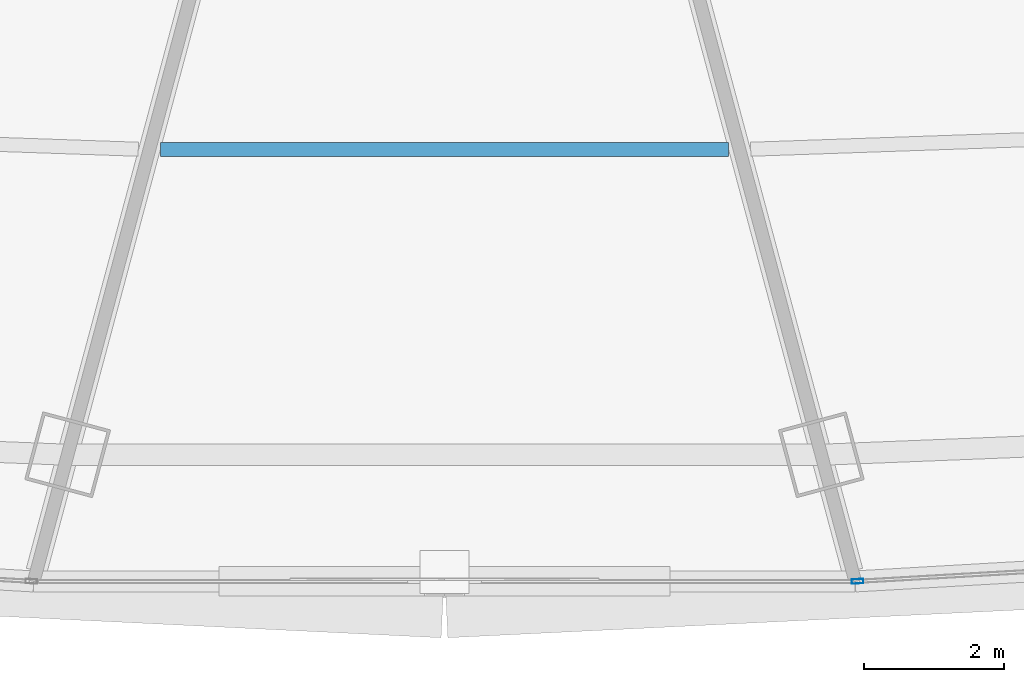
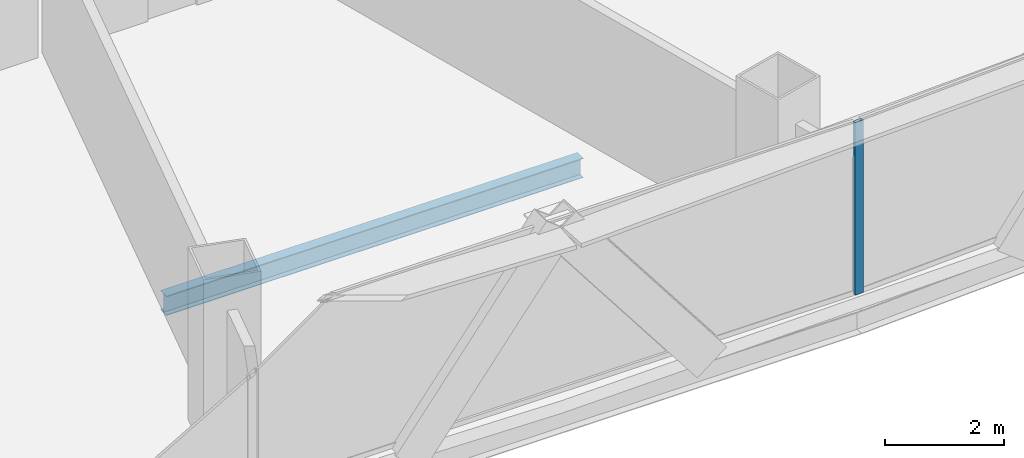
# One storey, part 10 of 39: 1 beam, 1 member, 1 element without a shape of its own.
"""IFC4 building model written with IfcOpenShell, lengths in metres."""

from ifc_helpers import new_model, si_unit, direction, frame, origin, origin_2d, place, context, subcontext, project, spatial, hollow_rectangle, i_section, extrude, source, transform, mapped, material, layer, layer_set, material_profile, profile_set, type_object, element, aggregate, save


model = new_model("IFC4")

# Units and contexts
model_context = context("Model", 3, precision=1e-05, world=origin(), true_north=direction((0.0, 1.0)))
body_context = subcontext(model_context, "Body", "Model", "MODEL_VIEW")
ifc_project = project(units=[si_unit("LENGTHUNIT", "METRE"), si_unit("AREAUNIT", "SQUARE_METRE"), si_unit("VOLUMEUNIT", "CUBIC_METRE"), si_unit("PLANEANGLEUNIT", "RADIAN"), si_unit("MASSUNIT", "GRAM", prefix="KILO"), si_unit("THERMODYNAMICTEMPERATUREUNIT", "KELVIN"), si_unit("POWERUNIT", "WATT")], contexts=[model_context])

# Site, building, storey
site_placement = place(None, origin())
site = spatial("IfcSite", under=ifc_project, at=site_placement, CompositionType="ELEMENT")
building_placement = place(site_placement, origin())
building = spatial("IfcBuilding", under=site, at=building_placement, Name="Yunzhuo Pagoda Commons", CompositionType="ELEMENT")
storey_placement = place(building_placement, frame((0.0, 0.0, 100.179931640625)))
storey = spatial("IfcBuildingStorey", under=building, at=storey_placement, Name="L25", CompositionType="ELEMENT", Elevation=100.179931640625)

# Beam
ifc_material_1 = material(Name="Structural steel Q355B", Category="steel")
ifc_material_profile_1 = material_profile(ifc_material_1, i_section(OverallWidth=0.199951171875, OverallDepth=0.39990234375, WebThickness=0.008056640625, FlangeThickness=0.012939453125, at=origin_2d()), Name="Structural steel Q355B")
ifc_profile_set_1 = profile_set([ifc_material_profile_1], Name="Structural steel Q355B")
beam_type = type_object("IfcBeamType", Name="B-JS1 Joist HN 400x200x8x13", PredefinedType="JOIST", material=ifc_profile_set_1)
shared_shape_1 = source(origin(), body_context, "Body", "SweptSolid", [
    extrude(i_section(OverallWidth=0.199951171875, OverallDepth=0.39990234375, WebThickness=0.008056640625, FlangeThickness=0.012939453125, at=origin_2d()), origin(), (0.0, 0.0, 1.0), 8.087890625),
])
beam_placement = place(storey_placement, frame((43.9560546875, 18.014404296875, -0.4599609375), z_axis=(1.0, 0.0, 0.0), x_axis=(0.0, 1.0, 0.0)))
element("IfcBeam", 1, at=beam_placement, inside=storey, type_object=beam_type, Name="L25 composite ring joist 2.2", PredefinedType="JOIST", context=body_context, shape_type="MappedRepresentation", body=[
    mapped(shared_shape_1, transform((0.0, 0.0, 0.0), scale=1.0)),
])

# Curtain wall, member
ifc_material_2 = material(Name="Anodized aluminium 6063-T6", Category="aluminium")
ifc_layer = layer(ifc_material_2, 0.1650390625)
ifc_layer_set = layer_set([ifc_layer], Name="Anodized aluminium 6063-T6")
curtain_wall_type = type_object("IfcCurtainWallType", Name="CW-LOW Low-Zone Ribbon Curtain Wall", PredefinedType="NOTDEFINED", material=ifc_layer_set)
curtain_wall_placement = place(storey_placement, origin())
curtain_wall = element("IfcCurtainWall", 2, at=curtain_wall_placement, inside=storey, type_object=curtain_wall_type, Name="L25 curtain wall CW-L25-F1B4", PredefinedType="NOTDEFINED")
ifc_material_profile_2 = material_profile(ifc_material_2, hollow_rectangle(XDim=0.06494140625, YDim=0.1650390625, WallThickness=0.00390625, at=origin_2d()), Name="Anodized aluminium 6063-T6")
ifc_profile_set_2 = profile_set([ifc_material_profile_2], Name="Anodized aluminium 6063-T6")
member_type = type_object("IfcMemberType", Name="CW-LOW-M Mullion RHS 165x65x4", PredefinedType="MULLION", material=ifc_profile_set_2)
shared_shape_2 = source(origin(), body_context, "Body", "SweptSolid", [
    extrude(hollow_rectangle(XDim=0.06494140625, YDim=0.1650390625, WallThickness=0.00390625, at=origin_2d()), origin(), (0.0, 0.0, 1.0), 3.5400390625),
])
member_placement = place(storey_placement, frame((53.88330078125, 11.865966796875, 0.0), z_axis=(0.0, 0.0, 1.0), x_axis=(-0.057299493103, 0.998357034377, 0.0)))
member = element("IfcMember", 3, at=member_placement, type_object=member_type, Name="CW mullion 1", PredefinedType="MULLION", context=body_context, shape_type="MappedRepresentation", body=[
    mapped(shared_shape_2, transform((0.0, 0.0, 0.0), scale=1.0)),
])
aggregate(curtain_wall, [member])

save(model, "model.ifc")
